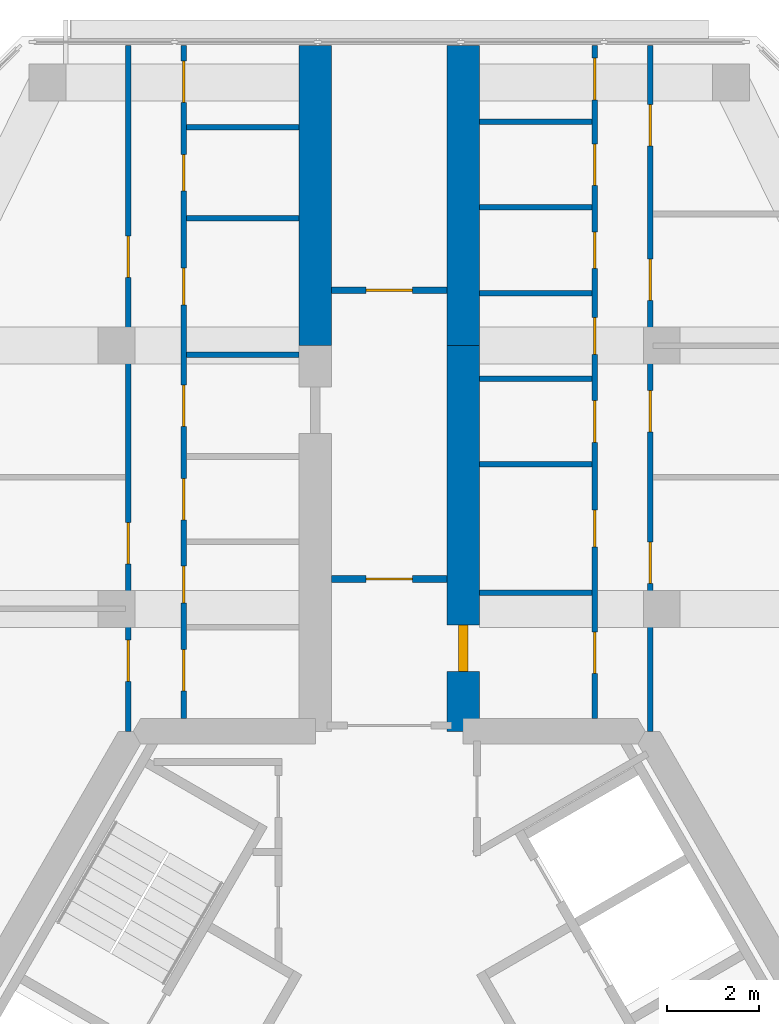
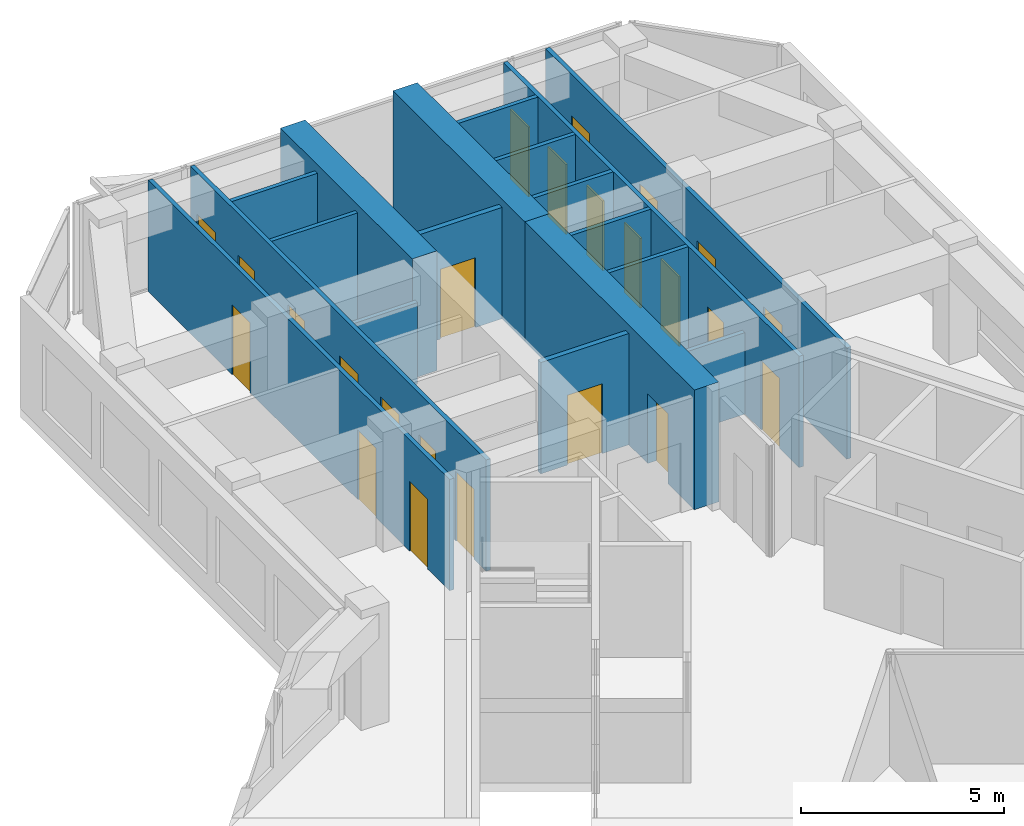
# One storey, part 12 of 14: 24 doors, 18 walls, 24 openings.
"""IFC4 building model written with IfcOpenShell, lengths in metres."""

from ifc_helpers import new_model, si_unit, direction, frame, frame_2d, origin, place, context, subcontext, project, spatial, rectangle, extrude, material, layer, layer_set, type_object, element, fill, save


model = new_model("IFC4")

# Units and contexts
model_context = context("Model", 3, precision=1e-05, world=origin(), true_north=direction((0.0, 1.0)))
body_context = subcontext(model_context, "Body", "Model", "MODEL_VIEW")
ifc_project = project(units=[si_unit("LENGTHUNIT", "METRE"), si_unit("AREAUNIT", "SQUARE_METRE"), si_unit("VOLUMEUNIT", "CUBIC_METRE"), si_unit("PLANEANGLEUNIT", "RADIAN"), si_unit("MASSUNIT", "GRAM", prefix="KILO")], contexts=[model_context])

# Site, building, storey
site_placement = place(None, origin())
site = spatial("IfcSite", under=ifc_project, at=site_placement, CompositionType="ELEMENT")
building_placement = place(site_placement, origin())
building = spatial("IfcBuilding", under=site, at=building_placement, Name="Kosmar Iwan School Tower", CompositionType="ELEMENT")
storey_placement = place(building_placement, frame((0.0, 0.0, 271.0)))
storey = spatial("IfcBuildingStorey", under=building, at=storey_placement, Name="L68", CompositionType="ELEMENT", Elevation=271.0)

# Wall
ifc_material_1 = material(Name="Concrete C50/60", Category="concrete")
ifc_layer_1 = layer(ifc_material_1, 0.699951171875)
ifc_layer_set_1 = layer_set([ifc_layer_1], Name="Corridor buttress wall 700")
wall_type_1 = type_object("IfcWallType", Name="Corridor buttress wall 700", PredefinedType="SHEAR", material=ifc_layer_set_1)
wall_1_placement = place(storey_placement, frame((-1.60009765625, 17.949951171875, 0.0), z_axis=(0.0, 0.0, 1.0), x_axis=(0.0, 1.0, 0.0)))
element("IfcWall", 1, at=wall_1_placement, inside=storey, type_object=wall_type_1, Name="Corridor wall AL bay 2", PredefinedType="SHEAR", context=body_context, shape_type="SweptSolid", body=[
    extrude(rectangle(XDim=6.4951171875, YDim=0.699951171875, at=frame_2d((3.24755859375, 0.0))), origin(), (0.0, 0.0, 1.0), 3.60009765625),
])

# Wall, opening, door
wall_2_placement = place(storey_placement, frame((1.60009765625, 9.60009765625, 0.0), z_axis=(0.0, 0.0, 1.0), x_axis=(0.0, 1.0, 0.0)))
wall_2 = element("IfcWall", 2, at=wall_2_placement, inside=storey, type_object=wall_type_1, Name="Corridor wall AR", PredefinedType="SHEAR", context=body_context, shape_type="SweptSolid", body=[
    extrude(rectangle(XDim=8.349853515625, YDim=0.699951171875, at=frame_2d((4.1748046875, 0.0))), origin(), (0.0, 0.0, 1.0), 3.60009765625),
])
opening_1_placement = place(wall_2_placement, frame((1.300048828125, 0.0, 0.0)))
opening_1 = element("IfcOpeningElement", 3, at=opening_1_placement, cuts=wall_2, Name="Opening D1", PredefinedType="OPENING", context=body_context, shape_type="SweptSolid", body=[
    extrude(rectangle(XDim=1.0, YDim=2.10009765625, at=frame_2d((0.5, 1.050048828125))), frame((0.0, 0.362060546875, 0.0), z_axis=(0.0, -1.0, 0.0), x_axis=(1.0, 0.0, 0.0)), (0.0, 0.0, 1.0), 0.723876953125),
])
ifc_material_2 = material(Name="Timber fire door in steel frame", Category="steel")
door_type_1 = type_object("IfcDoorType", Name="Flat entrance door 1000x2100", OperationType="SINGLE_SWING_LEFT", PredefinedType="DOOR", material=ifc_material_2)
door_1_placement = place(opening_1_placement, origin())
door_1 = element("IfcDoor", 4, at=door_1_placement, inside=storey, type_object=door_type_1, Name="Flat L68-AR1 entrance door", OperationType="SINGLE_SWING_RIGHT", OverallHeight=2.10009765625, OverallWidth=1.0, PredefinedType="DOOR", context=body_context, shape_type="SweptSolid", body=[
    extrude(rectangle(XDim=1.0, YDim=2.10009765625, at=frame_2d((0.5, 1.050048828125))), frame((0.0, 0.10009765625, 0.0), z_axis=(0.0, -1.0, 0.0), x_axis=(1.0, 0.0, 0.0)), (0.0, 0.0, 1.0), 0.199951171875),
])
fill(opening_1, door_1)

# Wall
wall_3_placement = place(storey_placement, frame((1.60009765625, 17.949951171875, 0.0), z_axis=(0.0, 0.0, 1.0), x_axis=(0.0, 1.0, 0.0)))
element("IfcWall", 5, at=wall_3_placement, inside=storey, type_object=wall_type_1, Name="Corridor wall AR bay 2", PredefinedType="SHEAR", context=body_context, shape_type="SweptSolid", body=[
    extrude(rectangle(XDim=6.4951171875, YDim=0.699951171875, at=frame_2d((3.24755859375, 0.0))), origin(), (0.0, 0.0, 1.0), 3.60009765625),
])

# Wall, opening, door
ifc_material_3 = material(Name="Gypsum board on steel studs, fire-rated", Category="steel")
ifc_layer_2 = layer(ifc_material_3, 0.14990234375)
ifc_layer_set_2 = layer_set([ifc_layer_2], Name="Corridor end wall 150")
wall_type_2 = type_object("IfcWallType", Name="Corridor end wall 150", PredefinedType="PARTITIONING", material=ifc_layer_set_2)
wall_4_placement = place(storey_placement, frame((1.25, 19.14990234375, 0.0), z_axis=(0.0, 0.0, 1.0), x_axis=(-1.0, 0.0, 0.0)))
wall_4 = element("IfcWall", 6, at=wall_4_placement, inside=storey, type_object=wall_type_2, Name="Partition L68-A-CE", PredefinedType="PARTITIONING", context=body_context, shape_type="SweptSolid", body=[
    extrude(rectangle(XDim=2.5, YDim=0.14990234375, at=frame_2d((1.25, 0.0))), origin(), (0.0, 0.0, 1.0), 3.35009765625),
])
opening_2_placement = place(wall_4_placement, frame((0.75, 0.0, 0.0)))
opening_2 = element("IfcOpeningElement", 7, at=opening_2_placement, cuts=wall_4, Name="Opening D13", PredefinedType="OPENING", context=body_context, shape_type="SweptSolid", body=[
    extrude(rectangle(XDim=1.0, YDim=2.10009765625, at=frame_2d((0.5, 1.050048828125))), frame((0.0, 0.0869140625, 0.0), z_axis=(0.0, -1.0, 0.0), x_axis=(1.0, 0.0, 0.0)), (0.0, 0.0, 1.0), 0.173828125),
])
ifc_material_4 = material(Name="Timber fire door with vision panel", Category="wood")
door_type_2 = type_object("IfcDoorType", Name="Corridor end door 1000x2100", OperationType="SINGLE_SWING_LEFT", PredefinedType="DOOR", material=ifc_material_4)
door_2_placement = place(opening_2_placement, origin())
door_2 = element("IfcDoor", 8, at=door_2_placement, inside=storey, type_object=door_type_2, Name="Laundry and drying room door L68-A", OperationType="SINGLE_SWING_LEFT", OverallHeight=2.10009765625, OverallWidth=1.0, PredefinedType="DOOR", context=body_context, shape_type="SweptSolid", body=[
    extrude(rectangle(XDim=1.0, YDim=2.10009765625, at=frame_2d((0.5, 1.050048828125))), frame((0.0, 0.02490234375, 0.0), z_axis=(0.0, -1.0, 0.0), x_axis=(1.0, 0.0, 0.0)), (0.0, 0.0, 1.0), 0.050048828125),
])
fill(opening_2, door_2)

wall_5_placement = place(storey_placement, frame((1.25, 12.89990234375, 0.0), z_axis=(0.0, 0.0, 1.0), x_axis=(-1.0, 0.0, 0.0)))
wall_5 = element("IfcWall", 9, at=wall_5_placement, inside=storey, type_object=wall_type_2, Name="Partition L68-A-HW", PredefinedType="PARTITIONING", context=body_context, shape_type="SweptSolid", body=[
    extrude(rectangle(XDim=2.5, YDim=0.14990234375, at=frame_2d((1.25, 0.0))), origin(), (0.0, 0.0, 1.0), 3.35009765625),
])
opening_3_placement = place(wall_5_placement, frame((0.75, 0.0, 0.0)))
opening_3 = element("IfcOpeningElement", 10, at=opening_3_placement, cuts=wall_5, Name="Opening D13", PredefinedType="OPENING", context=body_context, shape_type="SweptSolid", body=[
    extrude(rectangle(XDim=1.0, YDim=2.10009765625, at=frame_2d((0.5, 1.050048828125))), frame((0.0, 0.0869140625, 0.0), z_axis=(0.0, -1.0, 0.0), x_axis=(1.0, 0.0, 0.0)), (0.0, 0.0, 1.0), 0.173828125),
])
door_3_placement = place(opening_3_placement, origin())
door_3 = element("IfcDoor", 11, at=door_3_placement, inside=storey, type_object=door_type_2, Name="Entrance door L68-A", OperationType="SINGLE_SWING_RIGHT", OverallHeight=2.10009765625, OverallWidth=1.0, PredefinedType="DOOR", context=body_context, shape_type="SweptSolid", body=[
    extrude(rectangle(XDim=1.0, YDim=2.10009765625, at=frame_2d((0.5, 1.050048828125))), frame((0.0, 0.02490234375, 0.0), z_axis=(0.0, -1.0, 0.0), x_axis=(1.0, 0.0, 0.0)), (0.0, 0.0, 1.0), 0.050048828125),
])
fill(opening_3, door_3)

# Wall, openings, doors
ifc_material_5 = material(Name="Gypsum board on steel studs", Category="steel")
ifc_layer_3 = layer(ifc_material_5, 0.1201171875)
ifc_layer_set_3 = layer_set([ifc_layer_3], Name="Dwelling partition 120")
wall_type_3 = type_object("IfcWallType", Name="Dwelling partition 120", PredefinedType="PARTITIONING", material=ifc_layer_set_3)
wall_6_placement = place(storey_placement, frame((-4.449951171875, 9.875, 0.0), z_axis=(0.0, 0.0, 1.0), x_axis=(0.0, 1.0, 0.0)))
wall_6 = element("IfcWall", 12, at=wall_6_placement, inside=storey, type_object=wall_type_3, Name="Partition L68-AL1-W1", PredefinedType="PARTITIONING", context=body_context, shape_type="SweptSolid", body=[
    extrude(rectangle(XDim=14.570068359375, YDim=0.1201171875, at=frame_2d((7.28515625, 0.0))), origin(), (0.0, 0.0, 1.0), 3.35009765625),
])
opening_4_placement = place(wall_6_placement, frame((0.60009765625, 0.0, 0.0)))
opening_4 = element("IfcOpeningElement", 13, at=opening_4_placement, cuts=wall_6, Name="Opening D2", PredefinedType="OPENING", context=body_context, shape_type="SweptSolid", body=[
    extrude(rectangle(XDim=0.89990234375, YDim=2.10009765625, at=frame_2d((0.449951171875, 1.050048828125))), frame((0.0, 0.072021484375, 0.0), z_axis=(0.0, -1.0, 0.0), x_axis=(1.0, 0.0, 0.0)), (0.0, 0.0, 1.0), 0.14404296875),
])
opening_5_placement = place(wall_6_placement, frame((2.5, 0.0, 0.0)))
opening_5 = element("IfcOpeningElement", 14, at=opening_5_placement, cuts=wall_6, Name="Opening D3", PredefinedType="OPENING", context=body_context, shape_type="SweptSolid", body=[
    extrude(rectangle(XDim=0.800048828125, YDim=2.10009765625, at=frame_2d((0.39990234375, 1.050048828125))), frame((0.0, 0.072021484375, 0.0), z_axis=(0.0, -1.0, 0.0), x_axis=(1.0, 0.0, 0.0)), (0.0, 0.0, 1.0), 0.14404296875),
])
opening_6_placement = place(wall_6_placement, frame((4.300048828125, 0.0, 0.0)))
opening_6 = element("IfcOpeningElement", 15, at=opening_6_placement, cuts=wall_6, Name="Opening D2", PredefinedType="OPENING", context=body_context, shape_type="SweptSolid", body=[
    extrude(rectangle(XDim=0.89990234375, YDim=2.10009765625, at=frame_2d((0.449951171875, 1.050048828125))), frame((0.0, 0.072021484375, 0.0), z_axis=(0.0, -1.0, 0.0), x_axis=(1.0, 0.0, 0.0)), (0.0, 0.0, 1.0), 0.14404296875),
])
opening_7_placement = place(wall_6_placement, frame((6.324951171875, 0.0, 0.0)))
opening_7 = element("IfcOpeningElement", 16, at=opening_7_placement, cuts=wall_6, Name="Opening D2", PredefinedType="OPENING", context=body_context, shape_type="SweptSolid", body=[
    extrude(rectangle(XDim=0.89990234375, YDim=2.10009765625, at=frame_2d((0.449951171875, 1.050048828125))), frame((0.0, 0.072021484375, 0.0), z_axis=(0.0, -1.0, 0.0), x_axis=(1.0, 0.0, 0.0)), (0.0, 0.0, 1.0), 0.14404296875),
])
opening_8_placement = place(wall_6_placement, frame((8.95361328125, 0.0, 0.0)))
opening_8 = element("IfcOpeningElement", 17, at=opening_8_placement, cuts=wall_6, Name="Opening D3", PredefinedType="OPENING", context=body_context, shape_type="SweptSolid", body=[
    extrude(rectangle(XDim=0.800048828125, YDim=2.10009765625, at=frame_2d((0.39990234375, 1.050048828125))), frame((0.0, 0.072021484375, 0.0), z_axis=(0.0, -1.0, 0.0), x_axis=(1.0, 0.0, 0.0)), (0.0, 0.0, 1.0), 0.14404296875),
])
opening_9_placement = place(wall_6_placement, frame((11.41796875, 0.0, 0.0)))
opening_9 = element("IfcOpeningElement", 18, at=opening_9_placement, cuts=wall_6, Name="Opening D3", PredefinedType="OPENING", context=body_context, shape_type="SweptSolid", body=[
    extrude(rectangle(XDim=0.800048828125, YDim=2.10009765625, at=frame_2d((0.39990234375, 1.050048828125))), frame((0.0, 0.072021484375, 0.0), z_axis=(0.0, -1.0, 0.0), x_axis=(1.0, 0.0, 0.0)), (0.0, 0.0, 1.0), 0.14404296875),
])
opening_10_placement = place(wall_6_placement, frame((13.33935546875, 0.0, 0.0)))
opening_10 = element("IfcOpeningElement", 19, at=opening_10_placement, cuts=wall_6, Name="Opening D2", PredefinedType="OPENING", context=body_context, shape_type="SweptSolid", body=[
    extrude(rectangle(XDim=0.89990234375, YDim=2.10009765625, at=frame_2d((0.449951171875, 1.050048828125))), frame((0.0, 0.072021484375, 0.0), z_axis=(0.0, -1.0, 0.0), x_axis=(1.0, 0.0, 0.0)), (0.0, 0.0, 1.0), 0.14404296875),
])
ifc_material_6 = material(Name="Timber door in timber frame", Category="wood")
door_type_3 = type_object("IfcDoorType", Name="Internal door 900x2100", OperationType="SINGLE_SWING_LEFT", PredefinedType="DOOR", material=ifc_material_6)
door_4_placement = place(opening_4_placement, origin())
door_4 = element("IfcDoor", 20, at=door_4_placement, inside=storey, type_object=door_type_3, Name="Dressing room door L68-AL1-S1", OperationType="SINGLE_SWING_LEFT", OverallHeight=2.10009765625, OverallWidth=0.89990234375, PredefinedType="DOOR", context=body_context, shape_type="SweptSolid", body=[
    extrude(rectangle(XDim=0.89990234375, YDim=2.10009765625, at=frame_2d((0.449951171875, 1.050048828125))), frame((0.0, 0.02490234375, 0.0), z_axis=(0.0, -1.0, 0.0), x_axis=(1.0, 0.0, 0.0)), (0.0, 0.0, 1.0), 0.050048828125),
])
fill(opening_4, door_4)
door_5_placement = place(opening_6_placement, origin())
door_5 = element("IfcDoor", 21, at=door_5_placement, inside=storey, type_object=door_type_3, Name="Pantry door L68-AL1-S3", OperationType="SINGLE_SWING_LEFT", OverallHeight=2.10009765625, OverallWidth=0.89990234375, PredefinedType="DOOR", context=body_context, shape_type="SweptSolid", body=[
    extrude(rectangle(XDim=0.89990234375, YDim=2.10009765625, at=frame_2d((0.449951171875, 1.050048828125))), frame((0.0, 0.02490234375, 0.0), z_axis=(0.0, -1.0, 0.0), x_axis=(1.0, 0.0, 0.0)), (0.0, 0.0, 1.0), 0.050048828125),
])
fill(opening_6, door_5)
door_6_placement = place(opening_7_placement, origin())
door_6 = element("IfcDoor", 22, at=door_6_placement, inside=storey, type_object=door_type_3, Name="Entrance hall door L68-AL1-S4", OperationType="SINGLE_SWING_LEFT", OverallHeight=2.10009765625, OverallWidth=0.89990234375, PredefinedType="DOOR", context=body_context, shape_type="SweptSolid", body=[
    extrude(rectangle(XDim=0.89990234375, YDim=2.10009765625, at=frame_2d((0.449951171875, 1.050048828125))), frame((0.0, 0.02490234375, 0.0), z_axis=(0.0, -1.0, 0.0), x_axis=(1.0, 0.0, 0.0)), (0.0, 0.0, 1.0), 0.050048828125),
])
fill(opening_7, door_6)
door_7_placement = place(opening_10_placement, origin())
door_7 = element("IfcDoor", 23, at=door_7_placement, inside=storey, type_object=door_type_3, Name="Utility room door L68-AL1-S7", OperationType="SINGLE_SWING_RIGHT", OverallHeight=2.10009765625, OverallWidth=0.89990234375, PredefinedType="DOOR", context=body_context, shape_type="SweptSolid", body=[
    extrude(rectangle(XDim=0.89990234375, YDim=2.10009765625, at=frame_2d((0.449951171875, 1.050048828125))), frame((0.0, 0.02490234375, 0.0), z_axis=(0.0, -1.0, 0.0), x_axis=(1.0, 0.0, 0.0)), (0.0, 0.0, 1.0), 0.050048828125),
])
fill(opening_10, door_7)
ifc_material_7 = material(Name="Timber door in timber frame", Category="wood")
door_type_4 = type_object("IfcDoorType", Name="Sanitary room door 800x2100", OperationType="SINGLE_SWING_LEFT", PredefinedType="DOOR", material=ifc_material_7)
door_8_placement = place(opening_5_placement, origin())
door_8 = element("IfcDoor", 24, at=door_8_placement, inside=storey, type_object=door_type_4, Name="Store door L68-AL1-S2", OperationType="SINGLE_SWING_LEFT", OverallHeight=2.10009765625, OverallWidth=0.800048828125, PredefinedType="DOOR", context=body_context, shape_type="SweptSolid", body=[
    extrude(rectangle(XDim=0.800048828125, YDim=2.10009765625, at=frame_2d((0.39990234375, 1.050048828125))), frame((0.0, 0.02490234375, 0.0), z_axis=(0.0, -1.0, 0.0), x_axis=(1.0, 0.0, 0.0)), (0.0, 0.0, 1.0), 0.050048828125),
])
fill(opening_5, door_8)
door_9_placement = place(opening_8_placement, origin())
door_9 = element("IfcDoor", 25, at=door_9_placement, inside=storey, type_object=door_type_4, Name="Bathroom door L68-AL1-S5", OperationType="SINGLE_SWING_RIGHT", OverallHeight=2.10009765625, OverallWidth=0.800048828125, PredefinedType="DOOR", context=body_context, shape_type="SweptSolid", body=[
    extrude(rectangle(XDim=0.800048828125, YDim=2.10009765625, at=frame_2d((0.39990234375, 1.050048828125))), frame((0.0, 0.02490234375, 0.0), z_axis=(0.0, -1.0, 0.0), x_axis=(1.0, 0.0, 0.0)), (0.0, 0.0, 1.0), 0.050048828125),
])
fill(opening_8, door_9)
door_10_placement = place(opening_9_placement, origin())
door_10 = element("IfcDoor", 26, at=door_10_placement, inside=storey, type_object=door_type_4, Name="WC door L68-AL1-S6", OperationType="SINGLE_SWING_RIGHT", OverallHeight=2.10009765625, OverallWidth=0.800048828125, PredefinedType="DOOR", context=body_context, shape_type="SweptSolid", body=[
    extrude(rectangle(XDim=0.800048828125, YDim=2.10009765625, at=frame_2d((0.39990234375, 1.050048828125))), frame((0.0, 0.02490234375, 0.0), z_axis=(0.0, -1.0, 0.0), x_axis=(1.0, 0.0, 0.0)), (0.0, 0.0, 1.0), 0.050048828125),
])
fill(opening_9, door_10)

wall_7_placement = place(storey_placement, frame((-5.64990234375, 9.60009765625, 0.0), z_axis=(0.0, 0.0, 1.0), x_axis=(0.0, 1.0, 0.0)))
wall_7 = element("IfcWall", 27, at=wall_7_placement, inside=storey, type_object=wall_type_3, Name="Partition L68-AL1-W2", PredefinedType="PARTITIONING", context=body_context, shape_type="SweptSolid", body=[
    extrude(rectangle(XDim=14.844970703125, YDim=0.1201171875, at=frame_2d((7.42236328125, 0.0))), origin(), (0.0, 0.0, 1.0), 3.35009765625),
])
opening_11_placement = place(wall_7_placement, frame((1.074951171875, 0.0, 0.0)))
opening_11 = element("IfcOpeningElement", 28, at=opening_11_placement, cuts=wall_7, Name="Opening D2", PredefinedType="OPENING", context=body_context, shape_type="SweptSolid", body=[
    extrude(rectangle(XDim=0.89990234375, YDim=2.10009765625, at=frame_2d((0.449951171875, 1.050048828125))), frame((0.0, 0.072021484375, 0.0), z_axis=(0.0, -1.0, 0.0), x_axis=(1.0, 0.0, 0.0)), (0.0, 0.0, 1.0), 0.14404296875),
])
opening_12_placement = place(wall_7_placement, frame((3.625, 0.0, 0.0)))
opening_12 = element("IfcOpeningElement", 29, at=opening_12_placement, cuts=wall_7, Name="Opening D2", PredefinedType="OPENING", context=body_context, shape_type="SweptSolid", body=[
    extrude(rectangle(XDim=0.89990234375, YDim=2.10009765625, at=frame_2d((0.449951171875, 1.050048828125))), frame((0.0, 0.072021484375, 0.0), z_axis=(0.0, -1.0, 0.0), x_axis=(1.0, 0.0, 0.0)), (0.0, 0.0, 1.0), 0.14404296875),
])
opening_13_placement = place(wall_7_placement, frame((9.824951171875, 0.0, 0.0)))
opening_13 = element("IfcOpeningElement", 30, at=opening_13_placement, cuts=wall_7, Name="Opening D2", PredefinedType="OPENING", context=body_context, shape_type="SweptSolid", body=[
    extrude(rectangle(XDim=0.89990234375, YDim=2.10009765625, at=frame_2d((0.449951171875, 1.050048828125))), frame((0.0, 0.072021484375, 0.0), z_axis=(0.0, -1.0, 0.0), x_axis=(1.0, 0.0, 0.0)), (0.0, 0.0, 1.0), 0.14404296875),
])
door_11_placement = place(opening_11_placement, origin())
door_11 = element("IfcDoor", 31, at=door_11_placement, inside=storey, type_object=door_type_3, Name="Bedroom 1 door L68-AL1-F1", OperationType="SINGLE_SWING_RIGHT", OverallHeight=2.10009765625, OverallWidth=0.89990234375, PredefinedType="DOOR", context=body_context, shape_type="SweptSolid", body=[
    extrude(rectangle(XDim=0.89990234375, YDim=2.10009765625, at=frame_2d((0.449951171875, 1.050048828125))), frame((0.0, 0.02490234375, 0.0), z_axis=(0.0, -1.0, 0.0), x_axis=(1.0, 0.0, 0.0)), (0.0, 0.0, 1.0), 0.050048828125),
])
fill(opening_11, door_11)
door_12_placement = place(opening_12_placement, origin())
door_12 = element("IfcDoor", 32, at=door_12_placement, inside=storey, type_object=door_type_3, Name="Study door L68-AL1-F2", OperationType="SINGLE_SWING_LEFT", OverallHeight=2.10009765625, OverallWidth=0.89990234375, PredefinedType="DOOR", context=body_context, shape_type="SweptSolid", body=[
    extrude(rectangle(XDim=0.89990234375, YDim=2.10009765625, at=frame_2d((0.449951171875, 1.050048828125))), frame((0.0, 0.02490234375, 0.0), z_axis=(0.0, -1.0, 0.0), x_axis=(1.0, 0.0, 0.0)), (0.0, 0.0, 1.0), 0.050048828125),
])
fill(opening_12, door_12)
door_13_placement = place(opening_13_placement, origin())
door_13 = element("IfcDoor", 33, at=door_13_placement, inside=storey, type_object=door_type_3, Name="Living room and kitchen door L68-AL1-F3", OperationType="SINGLE_SWING_RIGHT", OverallHeight=2.10009765625, OverallWidth=0.89990234375, PredefinedType="DOOR", context=body_context, shape_type="SweptSolid", body=[
    extrude(rectangle(XDim=0.89990234375, YDim=2.10009765625, at=frame_2d((0.449951171875, 1.050048828125))), frame((0.0, 0.02490234375, 0.0), z_axis=(0.0, -1.0, 0.0), x_axis=(1.0, 0.0, 0.0)), (0.0, 0.0, 1.0), 0.050048828125),
])
fill(opening_13, door_13)

# Walls
wall_8_placement = place(storey_placement, frame((-1.949951171875, 17.75, 0.0), z_axis=(0.0, 0.0, 1.0), x_axis=(-1.0, 0.0, 0.0)))
element("IfcWall", 34, at=wall_8_placement, inside=storey, type_object=wall_type_3, Name="Partition L68-AL1-Y4", PredefinedType="PARTITIONING", context=body_context, shape_type="SweptSolid", body=[
    extrude(rectangle(XDim=2.43994140625, YDim=0.1201171875, at=frame_2d((1.219970703125, 0.0))), origin(), (0.0, 0.0, 1.0), 2.449951171875),
])
for number, where, z_axis, x_axis, name in (
    (35, (-1.949951171875, 20.70703125, 0.0), (0.0, 0.0, 1.0), (-1.0, 0.0, 0.0), "Partition L68-AL1-Y5"),
    (36, (-1.949951171875, 22.678466796875, 0.0), (0.0, 0.0, 1.0), (-1.0, 0.0, 0.0), "Partition L68-AL1-Y6"),
):
    element("IfcWall", number, at=place(storey_placement, frame(where, z_axis=z_axis, x_axis=x_axis)), inside=storey, type_object=wall_type_3, Name=name, PredefinedType="PARTITIONING", context=body_context, shape_type="SweptSolid", body=[
        extrude(rectangle(XDim=2.43994140625, YDim=0.1201171875, at=frame_2d((1.219970703125, 0.0))), origin(), (0.0, 0.0, 1.0), 3.35009765625),
    ])

# Wall, openings, doors
wall_9_placement = place(storey_placement, frame((4.449951171875, 9.875, 0.0), z_axis=(0.0, 0.0, 1.0), x_axis=(0.0, 1.0, 0.0)))
wall_9 = element("IfcWall", 37, at=wall_9_placement, inside=storey, type_object=wall_type_3, Name="Partition L68-AR1-W1", PredefinedType="PARTITIONING", context=body_context, shape_type="SweptSolid", body=[
    extrude(rectangle(XDim=14.570068359375, YDim=0.1201171875, at=frame_2d((7.28515625, 0.0))), origin(), (0.0, 0.0, 1.0), 3.35009765625),
])
opening_14_placement = place(wall_9_placement, frame((0.97509765625, 0.0, 0.0)))
opening_14 = element("IfcOpeningElement", 38, at=opening_14_placement, cuts=wall_9, Name="Opening D2", PredefinedType="OPENING", context=body_context, shape_type="SweptSolid", body=[
    extrude(rectangle(XDim=0.89990234375, YDim=2.10009765625, at=frame_2d((0.449951171875, 1.050048828125))), frame((0.0, 0.072021484375, 0.0), z_axis=(0.0, -1.0, 0.0), x_axis=(1.0, 0.0, 0.0)), (0.0, 0.0, 1.0), 0.14404296875),
])
opening_15_placement = place(wall_9_placement, frame((3.71533203125, 0.0, 0.0)))
opening_15 = element("IfcOpeningElement", 39, at=opening_15_placement, cuts=wall_9, Name="Opening D3", PredefinedType="OPENING", context=body_context, shape_type="SweptSolid", body=[
    extrude(rectangle(XDim=0.800048828125, YDim=2.10009765625, at=frame_2d((0.39990234375, 1.050048828125))), frame((0.0, 0.072021484375, 0.0), z_axis=(0.0, -1.0, 0.0), x_axis=(1.0, 0.0, 0.0)), (0.0, 0.0, 1.0), 0.14404296875),
])
opening_16_placement = place(wall_9_placement, frame((5.982666015625, 0.0, 0.0)))
opening_16 = element("IfcOpeningElement", 40, at=opening_16_placement, cuts=wall_9, Name="Opening D2", PredefinedType="OPENING", context=body_context, shape_type="SweptSolid", body=[
    extrude(rectangle(XDim=0.89990234375, YDim=2.10009765625, at=frame_2d((0.449951171875, 1.050048828125))), frame((0.0, 0.072021484375, 0.0), z_axis=(0.0, -1.0, 0.0), x_axis=(1.0, 0.0, 0.0)), (0.0, 0.0, 1.0), 0.14404296875),
])
opening_17_placement = place(wall_9_placement, frame((7.886474609375, 0.0, 0.0)))
opening_17 = element("IfcOpeningElement", 41, at=opening_17_placement, cuts=wall_9, Name="Opening D3", PredefinedType="OPENING", context=body_context, shape_type="SweptSolid", body=[
    extrude(rectangle(XDim=0.800048828125, YDim=2.10009765625, at=frame_2d((0.39990234375, 1.050048828125))), frame((0.0, 0.072021484375, 0.0), z_axis=(0.0, -1.0, 0.0), x_axis=(1.0, 0.0, 0.0)), (0.0, 0.0, 1.0), 0.14404296875),
])
opening_18_placement = place(wall_9_placement, frame((9.740478515625, 0.0, 0.0)))
opening_18 = element("IfcOpeningElement", 42, at=opening_18_placement, cuts=wall_9, Name="Opening D3", PredefinedType="OPENING", context=body_context, shape_type="SweptSolid", body=[
    extrude(rectangle(XDim=0.800048828125, YDim=2.10009765625, at=frame_2d((0.39990234375, 1.050048828125))), frame((0.0, 0.072021484375, 0.0), z_axis=(0.0, -1.0, 0.0), x_axis=(1.0, 0.0, 0.0)), (0.0, 0.0, 1.0), 0.14404296875),
])
opening_19_placement = place(wall_9_placement, frame((11.544189453125, 0.0, 0.0)))
opening_19 = element("IfcOpeningElement", 43, at=opening_19_placement, cuts=wall_9, Name="Opening D2", PredefinedType="OPENING", context=body_context, shape_type="SweptSolid", body=[
    extrude(rectangle(XDim=0.89990234375, YDim=2.10009765625, at=frame_2d((0.449951171875, 1.050048828125))), frame((0.0, 0.072021484375, 0.0), z_axis=(0.0, -1.0, 0.0), x_axis=(1.0, 0.0, 0.0)), (0.0, 0.0, 1.0), 0.14404296875),
])
opening_20_placement = place(wall_9_placement, frame((13.398193359375, 0.0, 0.0)))
opening_20 = element("IfcOpeningElement", 44, at=opening_20_placement, cuts=wall_9, Name="Opening D2", PredefinedType="OPENING", context=body_context, shape_type="SweptSolid", body=[
    extrude(rectangle(XDim=0.89990234375, YDim=2.10009765625, at=frame_2d((0.449951171875, 1.050048828125))), frame((0.0, 0.072021484375, 0.0), z_axis=(0.0, -1.0, 0.0), x_axis=(1.0, 0.0, 0.0)), (0.0, 0.0, 1.0), 0.14404296875),
])
door_14_placement = place(opening_14_placement, origin())
door_14 = element("IfcDoor", 45, at=door_14_placement, inside=storey, type_object=door_type_3, Name="Entrance hall door L68-AR1-S1", OperationType="SINGLE_SWING_RIGHT", OverallHeight=2.10009765625, OverallWidth=0.89990234375, PredefinedType="DOOR", context=body_context, shape_type="SweptSolid", body=[
    extrude(rectangle(XDim=0.89990234375, YDim=2.10009765625, at=frame_2d((0.449951171875, 1.050048828125))), frame((0.0, 0.02490234375, 0.0), z_axis=(0.0, -1.0, 0.0), x_axis=(1.0, 0.0, 0.0)), (0.0, 0.0, 1.0), 0.050048828125),
])
fill(opening_14, door_14)
door_15_placement = place(opening_16_placement, origin())
door_15 = element("IfcDoor", 46, at=door_15_placement, inside=storey, type_object=door_type_3, Name="Pantry door L68-AR1-S3", OperationType="SINGLE_SWING_RIGHT", OverallHeight=2.10009765625, OverallWidth=0.89990234375, PredefinedType="DOOR", context=body_context, shape_type="SweptSolid", body=[
    extrude(rectangle(XDim=0.89990234375, YDim=2.10009765625, at=frame_2d((0.449951171875, 1.050048828125))), frame((0.0, 0.02490234375, 0.0), z_axis=(0.0, -1.0, 0.0), x_axis=(1.0, 0.0, 0.0)), (0.0, 0.0, 1.0), 0.050048828125),
])
fill(opening_16, door_15)
door_16_placement = place(opening_19_placement, origin())
door_16 = element("IfcDoor", 47, at=door_16_placement, inside=storey, type_object=door_type_3, Name="Utility room door L68-AR1-S6", OperationType="SINGLE_SWING_LEFT", OverallHeight=2.10009765625, OverallWidth=0.89990234375, PredefinedType="DOOR", context=body_context, shape_type="SweptSolid", body=[
    extrude(rectangle(XDim=0.89990234375, YDim=2.10009765625, at=frame_2d((0.449951171875, 1.050048828125))), frame((0.0, 0.02490234375, 0.0), z_axis=(0.0, -1.0, 0.0), x_axis=(1.0, 0.0, 0.0)), (0.0, 0.0, 1.0), 0.050048828125),
])
fill(opening_19, door_16)
door_17_placement = place(opening_20_placement, origin())
door_17 = element("IfcDoor", 48, at=door_17_placement, inside=storey, type_object=door_type_3, Name="Dressing room door L68-AR1-S7", OperationType="SINGLE_SWING_RIGHT", OverallHeight=2.10009765625, OverallWidth=0.89990234375, PredefinedType="DOOR", context=body_context, shape_type="SweptSolid", body=[
    extrude(rectangle(XDim=0.89990234375, YDim=2.10009765625, at=frame_2d((0.449951171875, 1.050048828125))), frame((0.0, 0.02490234375, 0.0), z_axis=(0.0, -1.0, 0.0), x_axis=(1.0, 0.0, 0.0)), (0.0, 0.0, 1.0), 0.050048828125),
])
fill(opening_20, door_17)
door_18_placement = place(opening_15_placement, origin())
door_18 = element("IfcDoor", 49, at=door_18_placement, inside=storey, type_object=door_type_4, Name="Bathroom door L68-AR1-S2", OperationType="SINGLE_SWING_LEFT", OverallHeight=2.10009765625, OverallWidth=0.800048828125, PredefinedType="DOOR", context=body_context, shape_type="SweptSolid", body=[
    extrude(rectangle(XDim=0.800048828125, YDim=2.10009765625, at=frame_2d((0.39990234375, 1.050048828125))), frame((0.0, 0.02490234375, 0.0), z_axis=(0.0, -1.0, 0.0), x_axis=(1.0, 0.0, 0.0)), (0.0, 0.0, 1.0), 0.050048828125),
])
fill(opening_15, door_18)
door_19_placement = place(opening_17_placement, origin())
door_19 = element("IfcDoor", 50, at=door_19_placement, inside=storey, type_object=door_type_4, Name="WC door L68-AR1-S4", OperationType="SINGLE_SWING_LEFT", OverallHeight=2.10009765625, OverallWidth=0.800048828125, PredefinedType="DOOR", context=body_context, shape_type="SweptSolid", body=[
    extrude(rectangle(XDim=0.800048828125, YDim=2.10009765625, at=frame_2d((0.39990234375, 1.050048828125))), frame((0.0, 0.02490234375, 0.0), z_axis=(0.0, -1.0, 0.0), x_axis=(1.0, 0.0, 0.0)), (0.0, 0.0, 1.0), 0.050048828125),
])
fill(opening_17, door_19)
door_20_placement = place(opening_18_placement, origin())
door_20 = element("IfcDoor", 51, at=door_20_placement, inside=storey, type_object=door_type_4, Name="Store door L68-AR1-S5", OperationType="SINGLE_SWING_RIGHT", OverallHeight=2.10009765625, OverallWidth=0.800048828125, PredefinedType="DOOR", context=body_context, shape_type="SweptSolid", body=[
    extrude(rectangle(XDim=0.800048828125, YDim=2.10009765625, at=frame_2d((0.39990234375, 1.050048828125))), frame((0.0, 0.02490234375, 0.0), z_axis=(0.0, -1.0, 0.0), x_axis=(1.0, 0.0, 0.0)), (0.0, 0.0, 1.0), 0.050048828125),
])
fill(opening_18, door_20)

wall_10_placement = place(storey_placement, frame((5.64990234375, 9.60009765625, 0.0), z_axis=(0.0, 0.0, 1.0), x_axis=(0.0, 1.0, 0.0)))
wall_10 = element("IfcWall", 52, at=wall_10_placement, inside=storey, type_object=wall_type_3, Name="Partition L68-AR1-W2", PredefinedType="PARTITIONING", context=body_context, shape_type="SweptSolid", body=[
    extrude(rectangle(XDim=14.844970703125, YDim=0.1201171875, at=frame_2d((7.42236328125, 0.0))), origin(), (0.0, 0.0, 1.0), 3.35009765625),
])
opening_21_placement = place(wall_10_placement, frame((3.199951171875, 0.0, 0.0)))
opening_21 = element("IfcOpeningElement", 53, at=opening_21_placement, cuts=wall_10, Name="Opening D2", PredefinedType="OPENING", context=body_context, shape_type="SweptSolid", body=[
    extrude(rectangle(XDim=0.89990234375, YDim=2.10009765625, at=frame_2d((0.449951171875, 1.050048828125))), frame((0.0, 0.072021484375, 0.0), z_axis=(0.0, -1.0, 0.0), x_axis=(1.0, 0.0, 0.0)), (0.0, 0.0, 1.0), 0.14404296875),
])
opening_22_placement = place(wall_10_placement, frame((6.47509765625, 0.0, 0.0)))
opening_22 = element("IfcOpeningElement", 54, at=opening_22_placement, cuts=wall_10, Name="Opening D2", PredefinedType="OPENING", context=body_context, shape_type="SweptSolid", body=[
    extrude(rectangle(XDim=0.89990234375, YDim=2.10009765625, at=frame_2d((0.449951171875, 1.050048828125))), frame((0.0, 0.072021484375, 0.0), z_axis=(0.0, -1.0, 0.0), x_axis=(1.0, 0.0, 0.0)), (0.0, 0.0, 1.0), 0.14404296875),
])
opening_23_placement = place(wall_10_placement, frame((9.324951171875, 0.0, 0.0)))
opening_23 = element("IfcOpeningElement", 55, at=opening_23_placement, cuts=wall_10, Name="Opening D2", PredefinedType="OPENING", context=body_context, shape_type="SweptSolid", body=[
    extrude(rectangle(XDim=0.89990234375, YDim=2.10009765625, at=frame_2d((0.449951171875, 1.050048828125))), frame((0.0, 0.072021484375, 0.0), z_axis=(0.0, -1.0, 0.0), x_axis=(1.0, 0.0, 0.0)), (0.0, 0.0, 1.0), 0.14404296875),
])
opening_24_placement = place(wall_10_placement, frame((12.675048828125, 0.0, 0.0)))
opening_24 = element("IfcOpeningElement", 56, at=opening_24_placement, cuts=wall_10, Name="Opening D2", PredefinedType="OPENING", context=body_context, shape_type="SweptSolid", body=[
    extrude(rectangle(XDim=0.89990234375, YDim=2.10009765625, at=frame_2d((0.449951171875, 1.050048828125))), frame((0.0, 0.072021484375, 0.0), z_axis=(0.0, -1.0, 0.0), x_axis=(1.0, 0.0, 0.0)), (0.0, 0.0, 1.0), 0.14404296875),
])
door_21_placement = place(opening_21_placement, origin())
door_21 = element("IfcDoor", 57, at=door_21_placement, inside=storey, type_object=door_type_3, Name="Living room door L68-AR1-F1", OperationType="SINGLE_SWING_LEFT", OverallHeight=2.10009765625, OverallWidth=0.89990234375, PredefinedType="DOOR", context=body_context, shape_type="SweptSolid", body=[
    extrude(rectangle(XDim=0.89990234375, YDim=2.10009765625, at=frame_2d((0.449951171875, 1.050048828125))), frame((0.0, 0.02490234375, 0.0), z_axis=(0.0, -1.0, 0.0), x_axis=(1.0, 0.0, 0.0)), (0.0, 0.0, 1.0), 0.050048828125),
])
fill(opening_21, door_21)
door_22_placement = place(opening_22_placement, origin())
door_22 = element("IfcDoor", 58, at=door_22_placement, inside=storey, type_object=door_type_3, Name="Kitchen and dining room door L68-AR1-F2", OperationType="SINGLE_SWING_LEFT", OverallHeight=2.10009765625, OverallWidth=0.89990234375, PredefinedType="DOOR", context=body_context, shape_type="SweptSolid", body=[
    extrude(rectangle(XDim=0.89990234375, YDim=2.10009765625, at=frame_2d((0.449951171875, 1.050048828125))), frame((0.0, 0.02490234375, 0.0), z_axis=(0.0, -1.0, 0.0), x_axis=(1.0, 0.0, 0.0)), (0.0, 0.0, 1.0), 0.050048828125),
])
fill(opening_22, door_22)
door_23_placement = place(opening_23_placement, origin())
door_23 = element("IfcDoor", 59, at=door_23_placement, inside=storey, type_object=door_type_3, Name="Dining room door L68-AR1-F3", OperationType="SINGLE_SWING_RIGHT", OverallHeight=2.10009765625, OverallWidth=0.89990234375, PredefinedType="DOOR", context=body_context, shape_type="SweptSolid", body=[
    extrude(rectangle(XDim=0.89990234375, YDim=2.10009765625, at=frame_2d((0.449951171875, 1.050048828125))), frame((0.0, 0.02490234375, 0.0), z_axis=(0.0, -1.0, 0.0), x_axis=(1.0, 0.0, 0.0)), (0.0, 0.0, 1.0), 0.050048828125),
])
fill(opening_23, door_23)
door_24_placement = place(opening_24_placement, origin())
door_24 = element("IfcDoor", 60, at=door_24_placement, inside=storey, type_object=door_type_3, Name="Bedroom 1 door L68-AR1-F4", OperationType="SINGLE_SWING_RIGHT", OverallHeight=2.10009765625, OverallWidth=0.89990234375, PredefinedType="DOOR", context=body_context, shape_type="SweptSolid", body=[
    extrude(rectangle(XDim=0.89990234375, YDim=2.10009765625, at=frame_2d((0.449951171875, 1.050048828125))), frame((0.0, 0.02490234375, 0.0), z_axis=(0.0, -1.0, 0.0), x_axis=(1.0, 0.0, 0.0)), (0.0, 0.0, 1.0), 0.050048828125),
])
fill(opening_24, door_24)

# Walls
wall_11_placement = place(storey_placement, frame((1.949951171875, 12.60009765625, 0.0), z_axis=(0.0, 0.0, 1.0), x_axis=(1.0, 0.0, 0.0)))
element("IfcWall", 61, at=wall_11_placement, inside=storey, type_object=wall_type_3, Name="Partition L68-AR1-Y1", PredefinedType="PARTITIONING", context=body_context, shape_type="SweptSolid", body=[
    extrude(rectangle(XDim=2.43994140625, YDim=0.1201171875, at=frame_2d((1.219970703125, 0.0))), origin(), (0.0, 0.0, 1.0), 2.449951171875),
])
for number, where, z_axis, x_axis, name in (
    (62, (1.949951171875, 15.380859375, 0.0), (0.0, 0.0, 1.0), (1.0, 0.0, 0.0), "Partition L68-AR1-Y2"),
    (63, (1.949951171875, 17.234619140625, 0.0), (0.0, 0.0, 1.0), (1.0, 0.0, 0.0), "Partition L68-AR1-Y3"),
    (64, (1.949951171875, 19.08837890625, 0.0), (0.0, 0.0, 1.0), (1.0, 0.0, 0.0), "Partition L68-AR1-Y4"),
    (65, (1.949951171875, 20.9423828125, 0.0), (0.0, 0.0, 1.0), (1.0, 0.0, 0.0), "Partition L68-AR1-Y5"),
    (66, (1.949951171875, 22.796142578125, 0.0), (0.0, 0.0, 1.0), (1.0, 0.0, 0.0), "Partition L68-AR1-Y6"),
):
    element("IfcWall", number, at=place(storey_placement, frame(where, z_axis=z_axis, x_axis=x_axis)), inside=storey, type_object=wall_type_3, Name=name, PredefinedType="PARTITIONING", context=body_context, shape_type="SweptSolid", body=[
        extrude(rectangle(XDim=2.43994140625, YDim=0.1201171875, at=frame_2d((1.219970703125, 0.0))), origin(), (0.0, 0.0, 1.0), 3.35009765625),
    ])

save(model, "model.ifc")
